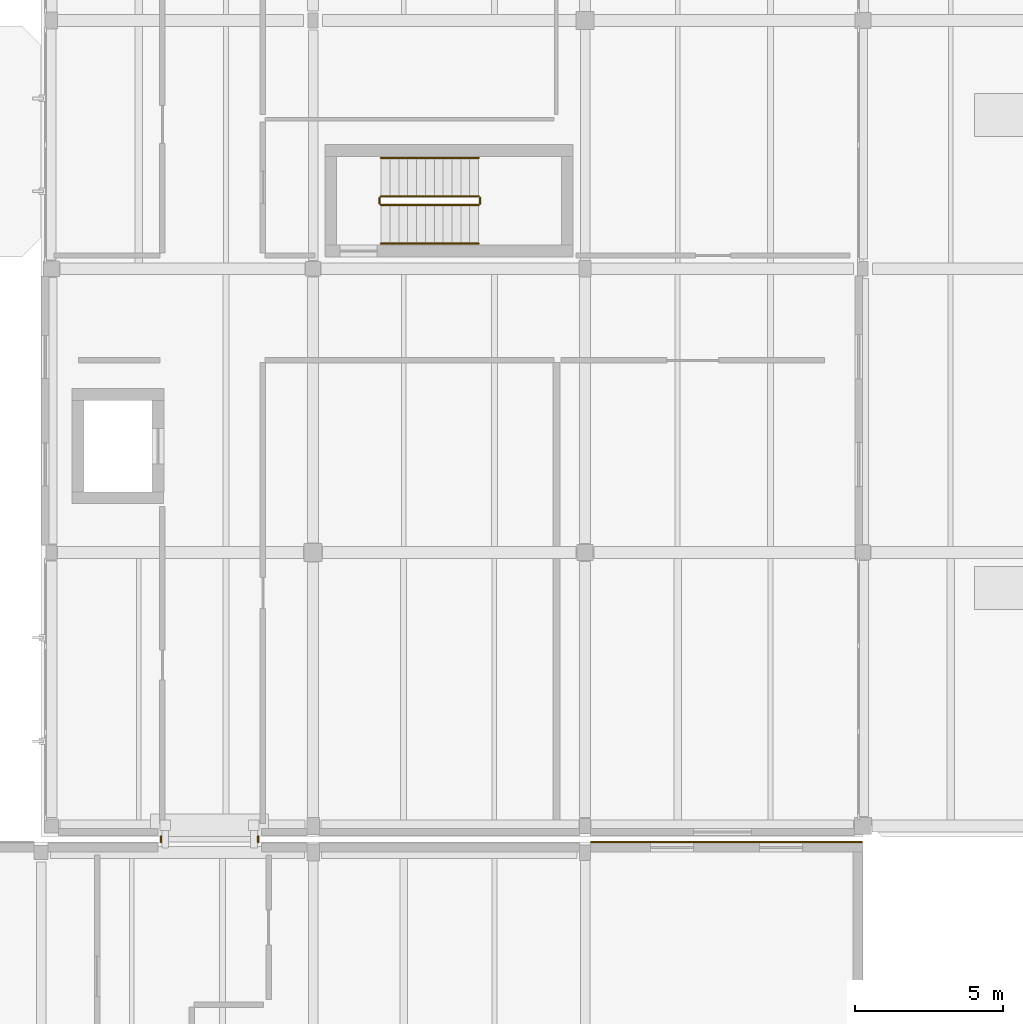
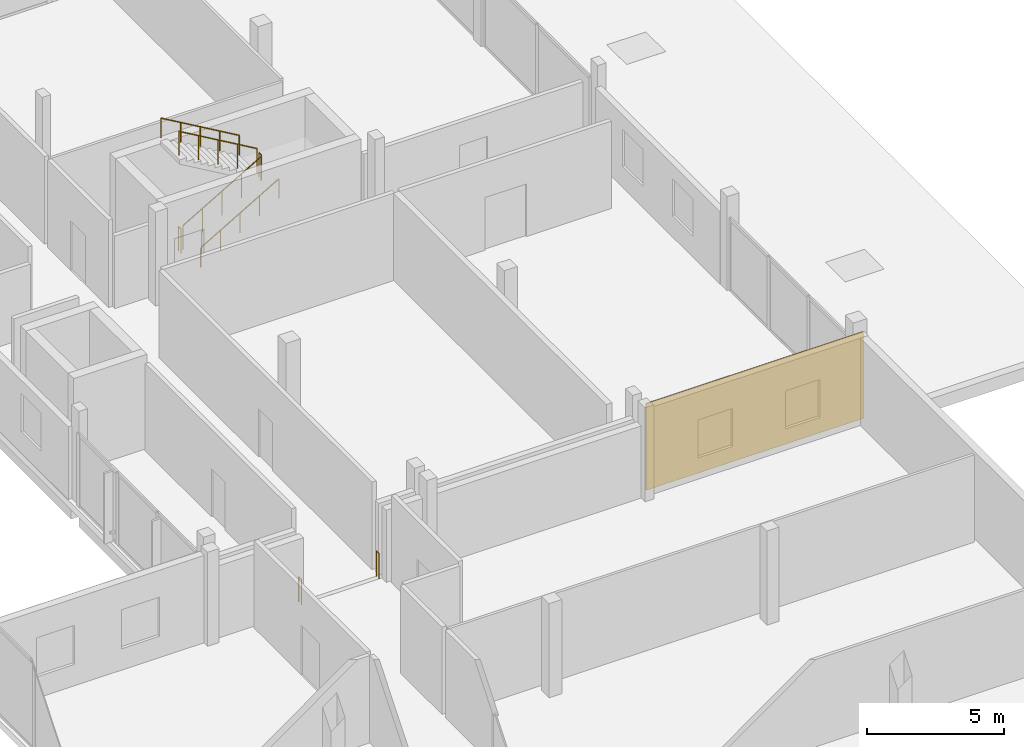
# One storey, part 65 of 66: 8 railings, 1 covering.
"""IFC4 building model written with IfcOpenShell, lengths in metres."""

import ifcopenshell
import ifcopenshell.guid

model = None  # the IFC model being written
_history = None  # IfcOwnerHistory: only IFC2X3 demands one
_inside = {}  # id of a spatial element -> (the spatial element, [elements in it])
_under = {}  # id of a project, library or spatial element -> (it, [spatial elements below it])
_declared = {}  # id of a project -> (the project, [libraries it declares])
_typed = {}  # id of a type object -> (the type object, [elements of that type])
_made_of = {}  # id of a material, layer set ... -> (it, [elements and type objects made of it])


def new_model(schema):
    """Start an empty IFC model of exactly this schema.

    Asked for "IFC4X3", IfcOpenShell would pick the latest addendum, in which some entities
    have other attributes; the version numbers below select the first issue.
    IFC2X3 requires an IfcOwnerHistory on every rooted entity: one is made here for all.
    """
    global model, _history
    if schema == "IFC4X3":
        model = ifcopenshell.file(schema_version=(4, 3, 0, 0))
    else:
        model = ifcopenshell.file(schema=schema)
    _inside.clear()
    _under.clear()
    _declared.clear()
    _typed.clear()
    _made_of.clear()
    _history = None
    if model.schema == "IFC2X3":
        org = make("IfcOrganization", Name="unknown")
        user = make(
            "IfcPersonAndOrganization",
            ThePerson=make("IfcPerson", FamilyName="unknown"),
            TheOrganization=org,
        )
        app = make(
            "IfcApplication",
            ApplicationDeveloper=org,
            Version="unknown",
            ApplicationFullName="unknown",
            ApplicationIdentifier="unknown",
        )
        _history = make(
            "IfcOwnerHistory",
            OwningUser=user,
            OwningApplication=app,
            ChangeAction="ADDED",
            CreationDate=0,
        )
    return model


def make(cls, **values):
    """One entity of the class cls with the attributes given. An attribute that is None is left unset."""
    return model.create_entity(
        cls, **{name: value for name, value in values.items() if value is not None}
    )


def rooted(cls, **values):
    """An entity with a GlobalId (a new one), such as an element, a storey or a relation."""
    return make(cls, GlobalId=ifcopenshell.guid.new(), OwnerHistory=_history, **values)


def si_unit(unit_type, name, prefix=None):
    """IfcSIUnit, for example si_unit("LENGTHUNIT", "METRE", prefix="MILLI")."""
    return make("IfcSIUnit", UnitType=unit_type, Prefix=prefix, Name=name)


def assignment(units):
    """IfcUnitAssignment: the units of a project."""
    return None if units is None else make("IfcUnitAssignment", Units=units)


def point(xyz):
    """IfcCartesianPoint."""
    return None if xyz is None else make("IfcCartesianPoint", Coordinates=xyz)


def direction(xyz):
    """IfcDirection."""
    return None if xyz is None else make("IfcDirection", DirectionRatios=xyz)


def frame(location, z_axis=None, x_axis=None):
    """IfcAxis2Placement3D, a coordinate frame: its origin and axes. An axis left out is left unset."""
    return make(
        "IfcAxis2Placement3D",
        Location=point(location),
        Axis=direction(z_axis),
        RefDirection=direction(x_axis),
    )


def frame_2d(location, x_axis=None):
    """IfcAxis2Placement2D, a coordinate frame in the plane: its origin and x axis."""
    return make(
        "IfcAxis2Placement2D", Location=point(location), RefDirection=direction(x_axis)
    )


def origin():
    """The frame at (0, 0, 0) with its axes left unset."""
    return frame((0.0, 0.0, 0.0))


def origin_2d():
    """The frame at (0, 0) in the plane with its x axis left unset."""
    return frame_2d((0.0, 0.0))


def place(relative_to, where):
    """IfcLocalPlacement: puts the frame where relative to a parent placement (None: the world)."""
    return make(
        "IfcLocalPlacement", PlacementRelTo=relative_to, RelativePlacement=where
    )


def context(
    kind, dimensions, precision=None, world=None, true_north=None, identifier=None
):
    """IfcGeometricRepresentationContext, for example the 3D "Model" context."""
    return make(
        "IfcGeometricRepresentationContext",
        ContextIdentifier=identifier,
        ContextType=kind,
        CoordinateSpaceDimension=dimensions,
        Precision=precision,
        WorldCoordinateSystem=world,
        TrueNorth=true_north,
    )


def subcontext(parent, identifier, kind, view, scale=None):
    """IfcGeometricRepresentationSubContext, for example "Body" below "Model"."""
    return make(
        "IfcGeometricRepresentationSubContext",
        ContextIdentifier=identifier,
        ContextType=kind,
        ParentContext=parent,
        TargetScale=scale,
        TargetView=view,
    )


def project(units=None, contexts=None):
    """IfcProject with its units and contexts."""
    return rooted(
        "IfcProject",
        Name="project",
        RepresentationContexts=contexts,
        UnitsInContext=assignment(units),
    )


def spatial(cls, under=None, at=None, **own):
    """A site, building, storey or space (cls), placed at a placement, below another one or the project."""
    s = rooted(cls, ObjectPlacement=at, **own)
    if under is not None:
        _under.setdefault(under.id(), (under, []))[1].append(s)
    return s


def profile(cls, at=None, kind="AREA", **sizes):
    """A parametric profile (cls). Its sizes go by their IFC names, for example OverallWidth=200.0."""
    return make(cls, ProfileType=kind, Position=at, **sizes)


def rectangle(**sizes):
    """IfcRectangleProfileDef."""
    return profile("IfcRectangleProfileDef", **sizes)


def circle(**sizes):
    """IfcCircleProfileDef."""
    return profile("IfcCircleProfileDef", **sizes)


def extrude(swept, where, along, depth):
    """IfcExtrudedAreaSolid: the profile swept, set in the frame where, extruded along a direction by depth."""
    return make(
        "IfcExtrudedAreaSolid",
        SweptArea=swept,
        Position=where,
        ExtrudedDirection=direction(along),
        Depth=depth,
    )


def shape(context_of_items, identifier, shape_type, items):
    """IfcShapeRepresentation: the items that make up one representation, for example the "Body"."""
    return make(
        "IfcShapeRepresentation",
        ContextOfItems=context_of_items,
        RepresentationIdentifier=identifier,
        RepresentationType=shape_type,
        Items=items,
    )


def material(Name=None, Category=None):
    """IfcMaterial."""
    return make("IfcMaterial", Name=Name, Category=Category)


def layer(
    of_material, thickness, ventilated=None, Name=None, Category=None, Priority=None
):
    """IfcMaterialLayer: one layer of a wall or slab, of a material (None: an air gap)."""
    return make(
        "IfcMaterialLayer",
        Material=of_material,
        LayerThickness=thickness,
        IsVentilated=ventilated,
        Name=Name,
        Category=Category,
        Priority=Priority,
    )


def layer_set(layers, Name=None):
    """IfcMaterialLayerSet."""
    return make("IfcMaterialLayerSet", MaterialLayers=layers, LayerSetName=Name)


def made_of(thing, what):
    """Note that an element or type object is made of a material, layer set ...; save() writes the relation."""
    if what is not None:
        _made_of.setdefault(what.id(), (what, []))[1].append(thing)
    return thing


def type_object(cls, material=None, **own):
    """A type object (cls), such as IfcWallType, which elements share."""
    return made_of(rooted(cls, **own), material)


def element(
    cls,
    number,
    at=None,
    inside=None,
    cuts=None,
    type_object=None,
    material=None,
    context=None,
    identifier="Body",
    shape_type=None,
    held_by="IfcProductDefinitionShape",
    body=None,
    shapes=None,
    **own,
):
    """One element of the class cls, such as IfcWall. Its Tag is "e" and its number.

    at: its placement. inside: the storey or other place that contains it. cuts: it is an
    opening in that element (IfcRelVoidsElement). A single representation is given by context,
    identifier, shape_type and body (its items); several are given by shapes. held_by: the class
    of the entity that holds the representations. save() writes the other relations.
    """
    e = rooted(cls, Tag="e%d" % number, ObjectPlacement=at, **own)
    if body is not None:
        shapes = [shape(context, identifier, shape_type, body)]
    if shapes is not None:
        e.Representation = make(held_by, Representations=shapes)
    if inside is not None:
        _inside.setdefault(inside.id(), (inside, []))[1].append(e)
    if cuts is not None:
        rooted(
            "IfcRelVoidsElement", RelatingBuildingElement=cuts, RelatedOpeningElement=e
        )
    if type_object is not None:
        _typed.setdefault(type_object.id(), (type_object, []))[1].append(e)
    return made_of(e, material)


def aggregate(whole, parts):
    """IfcRelAggregates: a whole, such as a stair, and the parts it consists of."""
    return rooted("IfcRelAggregates", RelatingObject=whole, RelatedObjects=parts)


def save(model, path):
    """Write the relations noted so far, then the file.

    IfcRelAggregates (storeys below a building ...), IfcRelContainedInSpatialStructure (elements
    in a storey), IfcRelDefinesByType, IfcRelAssociatesMaterial and IfcRelDeclares: one each for
    every whole, place, type object, material and project.
    """
    for whole, parts in _under.values():
        aggregate(whole, parts)
    for where, things in _inside.values():
        rooted(
            "IfcRelContainedInSpatialStructure",
            RelatedElements=things,
            RelatingStructure=where,
        )
    for kind, things in _typed.values():
        rooted("IfcRelDefinesByType", RelatedObjects=things, RelatingType=kind)
    for what, things in _made_of.values():
        rooted("IfcRelAssociatesMaterial", RelatedObjects=things, RelatingMaterial=what)
    for by, libraries in _declared.values():
        rooted("IfcRelDeclares", RelatingContext=by, RelatedDefinitions=libraries)
    model.write(path)


model = new_model("IFC4")

# Units and contexts
model_context = context("Model", 3, precision=1e-05, world=origin(), true_north=direction((0.0, 1.0)))
body_context = subcontext(model_context, "Body", "Model", "MODEL_VIEW")
ifc_project = project(units=[si_unit("LENGTHUNIT", "METRE"), si_unit("AREAUNIT", "SQUARE_METRE"), si_unit("VOLUMEUNIT", "CUBIC_METRE"), si_unit("PLANEANGLEUNIT", "RADIAN"), si_unit("MASSUNIT", "GRAM", prefix="KILO")], contexts=[model_context])

# Site, building, storey
site_placement = place(None, origin())
site = spatial("IfcSite", under=ifc_project, at=site_placement, CompositionType="ELEMENT")
building_placement = place(site_placement, origin())
building = spatial("IfcBuilding", under=site, at=building_placement, Name="Birchvale Park Specialist Clinic", CompositionType="ELEMENT")
storey_placement = place(building_placement, frame((0.0, 0.0, 5.39990234375)))
storey = spatial("IfcBuildingStorey", under=building, at=storey_placement, Name="L01", CompositionType="ELEMENT", Elevation=5.39990234375)

# Covering
ifc_material_1 = material(Name="Nordic larch vertical rainscreen cladding")
ifc_layer = layer(ifc_material_1, 0.044921875)
ifc_layer_set = layer_set([ifc_layer], Name="Nordic larch vertical rainscreen cladding")
covering_type = type_object("IfcCoveringType", Name="COV-CL1", PredefinedType="CLADDING", material=ifc_layer_set)
covering_placement = place(storey_placement, frame((151.18994140625, 63.402587890625, 0.02001953125), z_axis=(0.0, 0.0, 1.0), x_axis=(-1.0, 0.0, 0.0)))
element("IfcCovering", 1, at=covering_placement, inside=storey, type_object=covering_type, Name="V5 L01 Nordic larch cladding 12", PredefinedType="CLADDING", context=body_context, shape_type="SweptSolid", body=[
    extrude(rectangle(XDim=9.179931640625, YDim=0.044921875, at=origin_2d()), origin(), (0.0, 0.0, 1.0), 3.860107421875),
])

# Railings
ifc_material_2 = material(Name="Brushed stainless steel and laminated glass balustrade", Category="steel")
railing_type_1 = type_object("IfcRailingType", Name="RL-BAL2", PredefinedType="BALUSTRADE", material=ifc_material_2)
for number, where, name in (
    (2, (132.06005859375, 63.39990234375, 0.0), "L01 seismic joint bridge guard BRG-4.15"),
    (3, (135.340087890625, 63.39990234375, 0.0), "L01 seismic joint bridge guard BRG-4.16"),
):
    element("IfcRailing", number, at=place(storey_placement, frame(where)), inside=storey, type_object=railing_type_1, Name=name, PredefinedType="BALUSTRADE", context=body_context, shape_type="SweptSolid", body=[
        extrude(circle(Radius=0.02392578125, at=origin_2d()), frame((0.0, 0.0, 1.1259765625), z_axis=(0.0, 1.0, 0.0), x_axis=(-1.0, 0.0, 0.0)), (0.0, 0.0, 1.0), 0.2001953125),
        extrude(circle(Radius=0.02099609375, at=origin_2d()), origin(), (0.0, 0.0, 1.0), 1.101806640625),
        extrude(circle(Radius=0.02099609375, at=origin_2d()), frame((0.0, 0.2001953125, 0.0)), (0.0, 0.0, 1.0), 1.101806640625),
    ])
ifc_material_3 = material(Name="Brushed stainless steel guard railing", Category="steel")
railing_type_2 = type_object("IfcRailingType", Name="RL-GRD1", PredefinedType="GUARDRAIL", material=ifc_material_3)
railing_1_placement = place(storey_placement, frame((139.5, 84.949951171875, 0.175048828125)))
element("IfcRailing", 4, at=railing_1_placement, inside=storey, type_object=railing_type_2, Name="L01 ST3 stair guard 1", PredefinedType="GUARDRAIL", context=body_context, shape_type="SweptSolid", body=[
    extrude(circle(Radius=0.02392578125, at=origin_2d()), frame((0.0, 0.0, 1.076171875), z_axis=(0.863776583165, 0.0, 0.503874998761), x_axis=(0.0, 1.0, 0.0)), (0.0, 0.0, 1.0), 3.820556640625),
    extrude(circle(Radius=0.02099609375, at=origin_2d()), origin(), (0.0, 0.0, 1.0), 1.052001953125),
    extrude(circle(Radius=0.02099609375, at=origin_2d()), frame((0.824951171875, 0.0, 0.481201171875)), (0.0, 0.0, 1.0), 1.052001953125),
    extrude(circle(Radius=0.02099609375, at=origin_2d()), frame((1.64990234375, 0.0, 0.96240234375)), (0.0, 0.0, 1.0), 1.052001953125),
    extrude(circle(Radius=0.02099609375, at=origin_2d()), frame((2.47509765625, 0.0, 1.44384765625)), (0.0, 0.0, 1.0), 1.052001953125),
    extrude(circle(Radius=0.02099609375, at=origin_2d()), frame((3.300048828125, 0.0, 1.925048828125)), (0.0, 0.0, 1.0), 1.052001953125),
])
railing_2_placement = place(storey_placement, frame((142.85009765625, 85.0, 2.10009765625)))
element("IfcRailing", 5, at=railing_2_placement, inside=storey, type_object=railing_type_2, Name="L01 ST3 stair guard 2", PredefinedType="GUARDRAIL", context=body_context, shape_type="SweptSolid", body=[
    extrude(circle(Radius=0.02392578125, at=origin_2d()), frame((0.0, 0.0, 1.076171875), z_axis=(0.0, 1.0, 0.0), x_axis=(-1.0, 0.0, 0.0)), (0.0, 0.0, 1.0), 0.199951171875),
    extrude(circle(Radius=0.02099609375, at=origin_2d()), origin(), (0.0, 0.0, 1.0), 1.052001953125),
    extrude(circle(Radius=0.02099609375, at=origin_2d()), frame((0.0, 0.199951171875, 0.0)), (0.0, 0.0, 1.0), 1.052001953125),
])
railing_3_placement = place(storey_placement, frame((142.800048828125, 85.25, 2.275146484375)))
element("IfcRailing", 6, at=railing_3_placement, inside=storey, type_object=railing_type_2, Name="L01 ST3 stair guard 3", PredefinedType="GUARDRAIL", context=body_context, shape_type="SweptSolid", body=[
    extrude(circle(Radius=0.02392578125, at=origin_2d()), frame((0.0, 0.0, 1.076171875), z_axis=(-0.863776583165, 0.0, 0.503874998761), x_axis=(0.0, -1.0, 0.0)), (0.0, 0.0, 1.0), 3.820556640625),
    extrude(circle(Radius=0.02099609375, at=origin_2d()), origin(), (0.0, 0.0, 1.0), 1.052001953125),
    extrude(circle(Radius=0.02099609375, at=origin_2d()), frame((-0.824951171875, 0.0, 0.481201171875)), (0.0, 0.0, 1.0), 1.052001953125),
    extrude(circle(Radius=0.02099609375, at=origin_2d()), frame((-1.64990234375, 0.0, 0.96240234375)), (0.0, 0.0, 1.0), 1.052001953125),
    extrude(circle(Radius=0.02099609375, at=origin_2d()), frame((-2.47509765625, 0.0, 1.44384765625)), (0.0, 0.0, 1.0), 1.052001953125),
    extrude(circle(Radius=0.02099609375, at=origin_2d()), frame((-3.300048828125, 0.0, 1.925048828125)), (0.0, 0.0, 1.0), 1.052001953125),
])
railing_4_placement = place(storey_placement, frame((139.449951171875, 85.0, 0.0)))
element("IfcRailing", 7, at=railing_4_placement, inside=storey, type_object=railing_type_2, Name="L01 ST3 stair guard 4", PredefinedType="GUARDRAIL", context=body_context, shape_type="SweptSolid", body=[
    extrude(circle(Radius=0.02392578125, at=origin_2d()), frame((0.0, 0.0, 1.076171875), z_axis=(0.0, 1.0, 0.0), x_axis=(-1.0, 0.0, 0.0)), (0.0, 0.0, 1.0), 0.199951171875),
    extrude(circle(Radius=0.02099609375, at=origin_2d()), origin(), (0.0, 0.0, 1.0), 1.052001953125),
    extrude(circle(Radius=0.02099609375, at=origin_2d()), frame((0.0, 0.199951171875, 0.0)), (0.0, 0.0, 1.0), 1.052001953125),
])
ifc_material_4 = material(Name="Anodised aluminium handrail", Category="aluminium")
railing_type_3 = type_object("IfcRailingType", Name="RL-HND1", PredefinedType="HANDRAIL", material=ifc_material_4)
railing_5_placement = place(storey_placement, frame((139.5, 83.64990234375, 0.175048828125)))
element("IfcRailing", 8, at=railing_5_placement, inside=storey, type_object=railing_type_3, Name="L01 ST3 stair handrail 1", PredefinedType="HANDRAIL", context=body_context, shape_type="SweptSolid", body=[
    extrude(circle(Radius=0.02392578125, at=origin_2d()), frame((0.0, 0.0, 0.8759765625), z_axis=(0.863776583165, 0.0, 0.503874998761), x_axis=(0.0, 1.0, 0.0)), (0.0, 0.0, 1.0), 3.820556640625),
    extrude(circle(Radius=0.02099609375, at=origin_2d()), origin(), (0.0, 0.0, 1.0), 0.851806640625),
    extrude(circle(Radius=0.02099609375, at=origin_2d()), frame((0.824951171875, 0.0, 0.481201171875)), (0.0, 0.0, 1.0), 0.851806640625),
    extrude(circle(Radius=0.02099609375, at=origin_2d()), frame((1.64990234375, 0.0, 0.96240234375)), (0.0, 0.0, 1.0), 0.851806640625),
    extrude(circle(Radius=0.02099609375, at=origin_2d()), frame((2.47509765625, 0.0, 1.44384765625)), (0.0, 0.0, 1.0), 0.851806640625),
    extrude(circle(Radius=0.02099609375, at=origin_2d()), frame((3.300048828125, 0.0, 1.925048828125)), (0.0, 0.0, 1.0), 0.851806640625),
])
railing_6_placement = place(storey_placement, frame((142.800048828125, 86.550048828125, 2.275146484375)))
element("IfcRailing", 9, at=railing_6_placement, inside=storey, type_object=railing_type_3, Name="L01 ST3 stair handrail 2", PredefinedType="HANDRAIL", context=body_context, shape_type="SweptSolid", body=[
    extrude(circle(Radius=0.02392578125, at=origin_2d()), frame((0.0, 0.0, 0.8759765625), z_axis=(-0.863776583165, 0.0, 0.503874998761), x_axis=(0.0, -1.0, 0.0)), (0.0, 0.0, 1.0), 3.820556640625),
    extrude(circle(Radius=0.02099609375, at=origin_2d()), origin(), (0.0, 0.0, 1.0), 0.851806640625),
    extrude(circle(Radius=0.02099609375, at=origin_2d()), frame((-0.824951171875, 0.0, 0.481201171875)), (0.0, 0.0, 1.0), 0.851806640625),
    extrude(circle(Radius=0.02099609375, at=origin_2d()), frame((-1.64990234375, 0.0, 0.96240234375)), (0.0, 0.0, 1.0), 0.851806640625),
    extrude(circle(Radius=0.02099609375, at=origin_2d()), frame((-2.47509765625, 0.0, 1.44384765625)), (0.0, 0.0, 1.0), 0.851806640625),
    extrude(circle(Radius=0.02099609375, at=origin_2d()), frame((-3.300048828125, 0.0, 1.925048828125)), (0.0, 0.0, 1.0), 0.851806640625),
])

save(model, "model.ifc")
